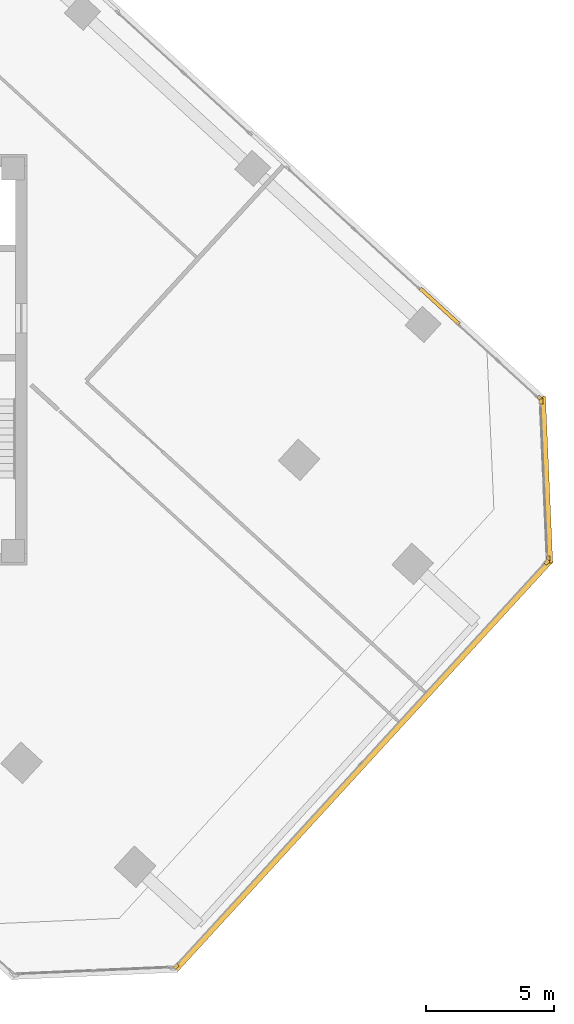
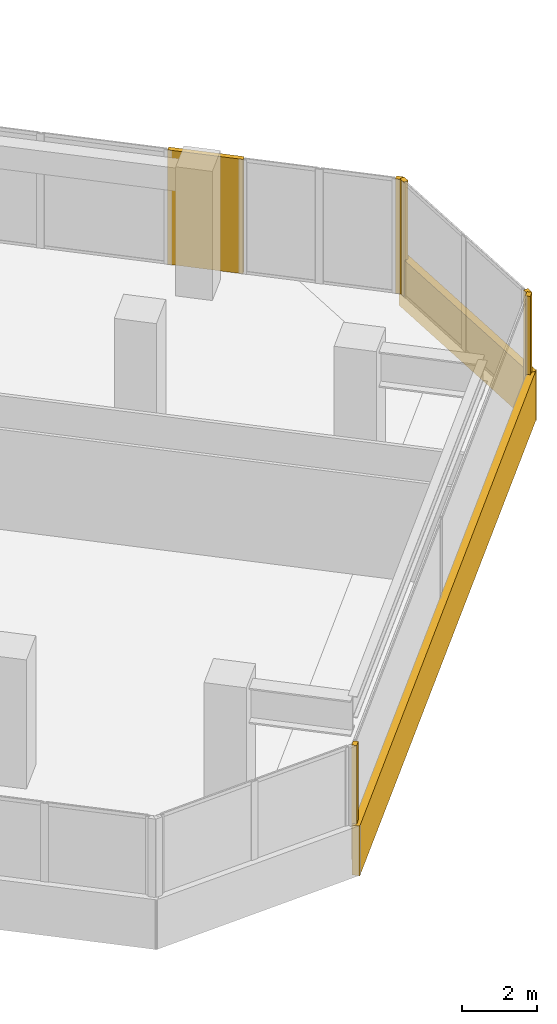
# One storey, part 17 of 18: 8 coverings.
"""IFC4 building model written with IfcOpenShell, lengths in metres."""

from ifc_helpers import new_model, si_unit, direction, frame, origin, origin_2d, place, context, subcontext, project, spatial, rectangle, extrude, source, transform, mapped, material, layer, layer_set, type_object, element, save


model = new_model("IFC4")

# Units and contexts
model_context = context("Model", 3, precision=1e-05, world=origin(), true_north=direction((0.0, 1.0)))
body_context = subcontext(model_context, "Body", "Model", "MODEL_VIEW")
ifc_project = project(units=[si_unit("LENGTHUNIT", "METRE"), si_unit("AREAUNIT", "SQUARE_METRE"), si_unit("VOLUMEUNIT", "CUBIC_METRE"), si_unit("PLANEANGLEUNIT", "RADIAN"), si_unit("MASSUNIT", "GRAM", prefix="KILO")], contexts=[model_context])

# Site, building, storey
site_placement = place(None, origin())
site = spatial("IfcSite", under=ifc_project, at=site_placement, CompositionType="ELEMENT")
building_placement = place(site_placement, origin())
building = spatial("IfcBuilding", under=site, at=building_placement, Name="Torre Montelarca", CompositionType="ELEMENT")
storey_placement = place(building_placement, frame((0.0, 0.0, 233.199951171875)))
storey = spatial("IfcBuildingStorey", under=building, at=storey_placement, Name="L52", CompositionType="ELEMENT", Elevation=233.199951171875)

# Coverings
ifc_material = material(Name="Bush-hammered warm white precast concrete C45/55", Category="concrete")
ifc_layer = layer(ifc_material, 0.139892578125, Name="Bush-hammered warm white precast concrete C45/55", Category="concrete")
ifc_layer_set = layer_set([ifc_layer], Name="Bush-hammered warm white precast concrete C45/55")
covering_type = type_object("IfcCoveringType", Name="COV-TRAY-CLAD", PredefinedType="CLADDING", material=ifc_layer_set)
shared_shape_1 = source(origin(), body_context, "Body", "SweptSolid", [
    extrude(rectangle(XDim=6.48388671875, YDim=0.219970703125, at=origin_2d()), origin(), (0.0, 0.0, 1.0), 1.6201171875),
])
covering_1_placement = place(storey_placement, frame((47.22509765625, 27.3193359375, -0.449951171875), z_axis=(0.0, 0.0, 1.0), x_axis=(-0.043621131033, 0.99904814545, 0.0)))
element("IfcCovering", 1, at=covering_1_placement, inside=storey, type_object=covering_type, Name="L52 Architectural White Spandrel Tray Band TRYBOT-07", PredefinedType="CLADDING", context=body_context, shape_type="MappedRepresentation", body=[
    mapped(shared_shape_1, transform((0.0, 0.0, 0.0), scale=1.0)),
])
shared_shape_2 = source(origin(), body_context, "Body", "SweptSolid", [
    extrude(rectangle(XDim=0.199951171875, YDim=0.139892578125, at=origin_2d()), origin(), (0.0, 0.0, 1.0), 3.719970703125),
])
for number, where, z_axis, x_axis, name in (
    (2, (32.81298828125, 8.36279296875, 0.0), (0.0, 0.0, 1.0), (0.675592781195, 0.737274978551, 0.0), "L52 Architectural Column Pier Cladding E06-1"),
    (3, (47.24951171875, 24.1171875, 0.0), (0.0, 0.0, 1.0), (0.675592781195, 0.737274978551, 0.0), "L52 Architectural Column Pier Cladding E06-2"),
    (4, (47.299072265625, 24.25341796875, 0.0), (0.0, 0.0, 1.0), (-0.043628105704, 0.999047840893, 0.0), "L52 Architectural Column Pier Cladding E07-1"),
    (5, (47.031494140625, 30.3798828125, 0.0), (0.0, 0.0, 1.0), (-0.043628105704, 0.999047840893, 0.0), "L52 Architectural Column Pier Cladding E07-2"),
    (6, (46.97021484375, 30.511474609375, 0.0), (0.0, 0.0, 1.0), (-0.73727733681, 0.675590207616, 0.0), "L52 Architectural Column Pier Cladding E08-1"),
):
    element("IfcCovering", number, at=place(storey_placement, frame(where, z_axis=z_axis, x_axis=x_axis)), inside=storey, type_object=covering_type, Name=name, PredefinedType="CLADDING", context=body_context, shape_type="MappedRepresentation", body=[
        mapped(shared_shape_2, transform((0.0, 0.0, 0.0), scale=1.0)),
    ])
shared_shape_3 = source(origin(), body_context, "Body", "SweptSolid", [
    extrude(rectangle(XDim=2.06005859375, YDim=0.139892578125, at=origin_2d()), origin(), (0.0, 0.0, 1.0), 3.719970703125),
])
covering_2_placement = place(storey_placement, frame((43.07421875, 34.08154296875, 0.0), z_axis=(0.0, 0.0, 1.0), x_axis=(-0.73727733681, 0.675590207616, 0.0)))
element("IfcCovering", 7, at=covering_2_placement, inside=storey, type_object=covering_type, Name="L52 Architectural Column Pier Cladding E08-2", PredefinedType="CLADDING", context=body_context, shape_type="MappedRepresentation", body=[
    mapped(shared_shape_3, transform((0.0, 0.0, 0.0), scale=1.0)),
])
shared_shape_4 = source(origin(), body_context, "Body", "SweptSolid", [
    extrude(rectangle(XDim=21.719970703125, YDim=0.219970703125, at=origin_2d()), origin(), (0.0, 0.0, 1.0), 1.6201171875),
])
covering_3_placement = place(storey_placement, frame((40.075439453125, 16.199462890625, -0.449951171875), z_axis=(0.0, 0.0, 1.0), x_axis=(0.675594067982, 0.737273799418, 0.0)))
element("IfcCovering", 8, at=covering_3_placement, inside=storey, type_object=covering_type, Name="L52 Architectural White Spandrel Tray Band TRYBOT-06", PredefinedType="CLADDING", context=body_context, shape_type="MappedRepresentation", body=[
    mapped(shared_shape_4, transform((0.0, 0.0, 0.0), scale=1.0)),
])

save(model, "model.ifc")
